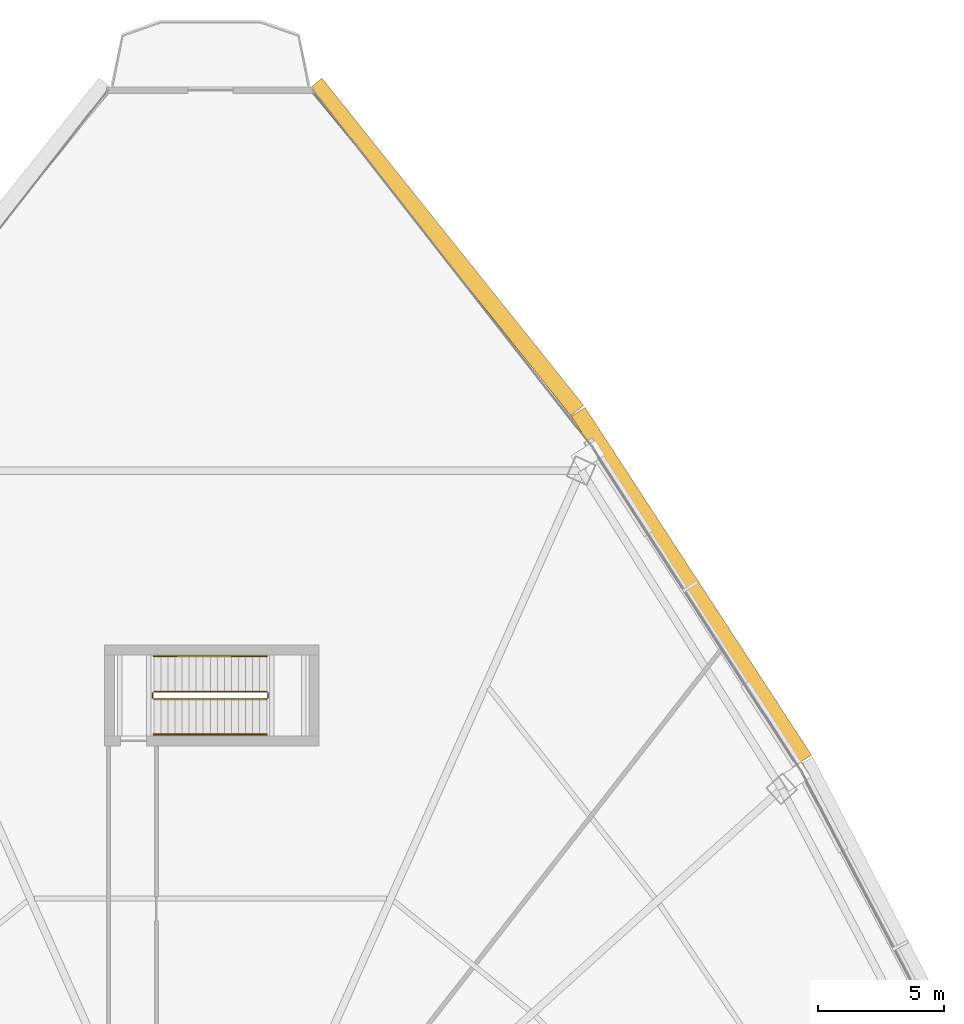
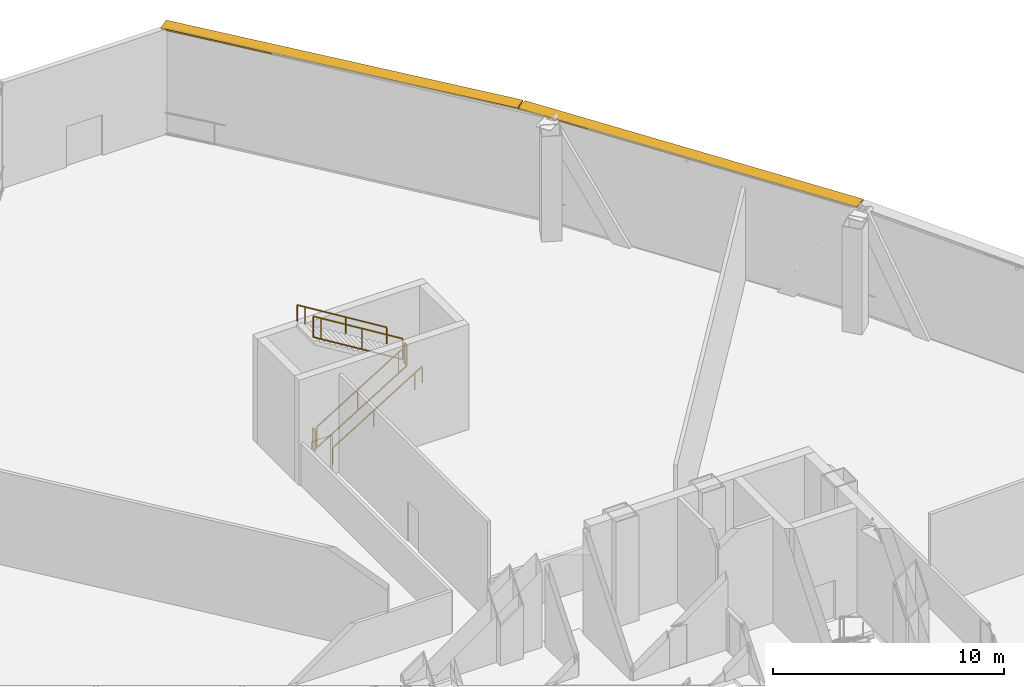
# One storey, part 37 of 38: 6 railings, 2 shading devices.
"""IFC4 building model written with IfcOpenShell, lengths in metres."""

from ifc_helpers import new_model, si_unit, direction, frame, origin, origin_2d, place, context, subcontext, project, spatial, rectangle, extrude, source, transform, mapped, material, layer, layer_set, type_object, element, save


model = new_model("IFC4")

# Units and contexts
model_context = context("Model", 3, precision=1e-05, world=origin(), true_north=direction((0.0, 1.0)))
body_context = subcontext(model_context, "Body", "Model", "MODEL_VIEW")
ifc_project = project(units=[si_unit("LENGTHUNIT", "METRE"), si_unit("AREAUNIT", "SQUARE_METRE"), si_unit("VOLUMEUNIT", "CUBIC_METRE"), si_unit("PLANEANGLEUNIT", "RADIAN"), si_unit("MASSUNIT", "GRAM", prefix="KILO"), si_unit("THERMODYNAMICTEMPERATUREUNIT", "KELVIN"), si_unit("POWERUNIT", "WATT")], contexts=[model_context])

# Site, building, storey
site_placement = place(None, origin())
site = spatial("IfcSite", under=ifc_project, at=site_placement, CompositionType="ELEMENT")
building_placement = place(site_placement, origin())
building = spatial("IfcBuilding", under=site, at=building_placement, Name="Yunzhuo Pagoda Commons", CompositionType="ELEMENT")
storey_placement = place(building_placement, frame((0.0, 0.0, 218.9599609375)))
storey = spatial("IfcBuildingStorey", under=building, at=storey_placement, Name="L55", CompositionType="ELEMENT", Elevation=218.9599609375)

# Railings
ifc_material = material(Name="Anodized aluminium 6063-T6", Category="aluminium")
railing_type_1 = type_object("IfcRailingType", Name="GR-ST3 North Well Guardrail 1155", PredefinedType="GUARDRAIL", material=ifc_material)
railing_1_placement = place(storey_placement, frame((45.75, 57.64990234375, 0.172119140625)))
element("IfcRailing", 1, at=railing_1_placement, inside=storey, type_object=railing_type_1, Name="L55 ST3 stair guard 1", PredefinedType="GUARDRAIL", context=body_context, shape_type="SweptSolid", body=[
    extrude(rectangle(XDim=0.048095703125, YDim=0.048095703125, at=origin_2d()), frame((0.0, 0.0, 1.1259765625), z_axis=(0.851996104429, 0.0, 0.523548123899), x_axis=(0.0, 1.0, 0.0)), (0.0, 0.0, 1.0), 5.25830078125),
    extrude(rectangle(XDim=0.048095703125, YDim=0.048095703125, at=origin_2d()), frame((0.0, 0.0, 0.02392578125), z_axis=(0.851996104429, 0.0, 0.523548123899), x_axis=(0.0, 1.0, 0.0)), (0.0, 0.0, 1.0), 5.25830078125),
    extrude(rectangle(XDim=0.0419921875, YDim=0.0419921875, at=origin_2d()), origin(), (0.0, 0.0, 1.0), 1.101806640625),
    extrude(rectangle(XDim=0.0419921875, YDim=0.0419921875, at=origin_2d()), frame((2.044677734375, 0.0, 1.256591796875)), (0.0, 0.0, 1.0), 1.101806640625),
    extrude(rectangle(XDim=0.0419921875, YDim=0.0419921875, at=origin_2d()), frame((4.089599609375, 0.0, 2.512939453125)), (0.0, 0.0, 1.0), 1.101806640625),
    extrude(rectangle(XDim=0.0419921875, YDim=0.0419921875, at=origin_2d()), frame((4.47998046875, 0.0, 2.7529296875)), (0.0, 0.0, 1.0), 1.101806640625),
])
railing_2_placement = place(storey_placement, frame((50.280029296875, 57.699951171875, 2.925048828125)))
element("IfcRailing", 2, at=railing_2_placement, inside=storey, type_object=railing_type_1, Name="L55 ST3 stair guard 2", PredefinedType="GUARDRAIL", context=body_context, shape_type="SweptSolid", body=[
    extrude(rectangle(XDim=0.048095703125, YDim=0.048095703125, at=origin_2d()), frame((0.0, 0.0, 1.1259765625), z_axis=(0.0, 1.0, 0.0), x_axis=(-1.0, 0.0, 0.0)), (0.0, 0.0, 1.0), 0.199951171875),
    extrude(rectangle(XDim=0.048095703125, YDim=0.048095703125, at=origin_2d()), frame((0.0, 0.0, 0.02392578125), z_axis=(0.0, 1.0, 0.0), x_axis=(-1.0, 0.0, 0.0)), (0.0, 0.0, 1.0), 0.199951171875),
    extrude(rectangle(XDim=0.0419921875, YDim=0.0419921875, at=origin_2d()), origin(), (0.0, 0.0, 1.0), 1.101806640625),
    extrude(rectangle(XDim=0.0419921875, YDim=0.0419921875, at=origin_2d()), frame((0.0, 0.199951171875, 0.0)), (0.0, 0.0, 1.0), 1.101806640625),
])
railing_3_placement = place(storey_placement, frame((50.22998046875, 57.949951171875, 3.09716796875)))
element("IfcRailing", 3, at=railing_3_placement, inside=storey, type_object=railing_type_1, Name="L55 ST3 stair guard 3", PredefinedType="GUARDRAIL", context=body_context, shape_type="SweptSolid", body=[
    extrude(rectangle(XDim=0.048095703125, YDim=0.048095703125, at=origin_2d()), frame((0.0, 0.0, 1.1259765625), z_axis=(-0.851996104429, 0.0, 0.523548123899), x_axis=(0.0, -1.0, 0.0)), (0.0, 0.0, 1.0), 5.25830078125),
    extrude(rectangle(XDim=0.048095703125, YDim=0.048095703125, at=origin_2d()), frame((0.0, 0.0, 0.02392578125), z_axis=(-0.851996104429, 0.0, 0.523548123899), x_axis=(0.0, -1.0, 0.0)), (0.0, 0.0, 1.0), 5.25830078125),
    extrude(rectangle(XDim=0.0419921875, YDim=0.0419921875, at=origin_2d()), origin(), (0.0, 0.0, 1.0), 1.101806640625),
    extrude(rectangle(XDim=0.0419921875, YDim=0.0419921875, at=origin_2d()), frame((-2.044677734375, 0.0, 1.256591796875)), (0.0, 0.0, 1.0), 1.101806640625),
    extrude(rectangle(XDim=0.0419921875, YDim=0.0419921875, at=origin_2d()), frame((-4.089599609375, 0.0, 2.512939453125)), (0.0, 0.0, 1.0), 1.101806640625),
    extrude(rectangle(XDim=0.0419921875, YDim=0.0419921875, at=origin_2d()), frame((-4.47998046875, 0.0, 2.7529296875)), (0.0, 0.0, 1.0), 1.101806640625),
])
railing_4_placement = place(storey_placement, frame((45.699951171875, 57.699951171875, 0.0)))
element("IfcRailing", 4, at=railing_4_placement, inside=storey, type_object=railing_type_1, Name="L55 ST3 stair guard 4", PredefinedType="GUARDRAIL", context=body_context, shape_type="SweptSolid", body=[
    extrude(rectangle(XDim=0.048095703125, YDim=0.048095703125, at=origin_2d()), frame((0.0, 0.0, 1.1259765625), z_axis=(0.0, 1.0, 0.0), x_axis=(-1.0, 0.0, 0.0)), (0.0, 0.0, 1.0), 0.199951171875),
    extrude(rectangle(XDim=0.048095703125, YDim=0.048095703125, at=origin_2d()), frame((0.0, 0.0, 0.02392578125), z_axis=(0.0, 1.0, 0.0), x_axis=(-1.0, 0.0, 0.0)), (0.0, 0.0, 1.0), 0.199951171875),
    extrude(rectangle(XDim=0.0419921875, YDim=0.0419921875, at=origin_2d()), origin(), (0.0, 0.0, 1.0), 1.101806640625),
    extrude(rectangle(XDim=0.0419921875, YDim=0.0419921875, at=origin_2d()), frame((0.0, 0.199951171875, 0.0)), (0.0, 0.0, 1.0), 1.101806640625),
])
railing_type_2 = type_object("IfcRailingType", Name="HR-ST3 North Stair Handrail 900", PredefinedType="HANDRAIL", material=ifc_material)
railing_5_placement = place(storey_placement, frame((45.75, 56.25, 0.172119140625)))
element("IfcRailing", 5, at=railing_5_placement, inside=storey, type_object=railing_type_2, Name="L55 ST3 stair handrail 1", PredefinedType="HANDRAIL", context=body_context, shape_type="SweptSolid", body=[
    extrude(rectangle(XDim=0.048095703125, YDim=0.048095703125, at=origin_2d()), frame((0.0, 0.0, 0.8759765625), z_axis=(0.851996104429, 0.0, 0.523548123899), x_axis=(0.0, 1.0, 0.0)), (0.0, 0.0, 1.0), 5.25830078125),
    extrude(rectangle(XDim=0.0419921875, YDim=0.0419921875, at=origin_2d()), origin(), (0.0, 0.0, 1.0), 0.851806640625),
    extrude(rectangle(XDim=0.0419921875, YDim=0.0419921875, at=origin_2d()), frame((2.044677734375, 0.0, 1.256591796875)), (0.0, 0.0, 1.0), 0.851806640625),
    extrude(rectangle(XDim=0.0419921875, YDim=0.0419921875, at=origin_2d()), frame((4.089599609375, 0.0, 2.512939453125)), (0.0, 0.0, 1.0), 0.851806640625),
    extrude(rectangle(XDim=0.0419921875, YDim=0.0419921875, at=origin_2d()), frame((4.47998046875, 0.0, 2.7529296875)), (0.0, 0.0, 1.0), 0.851806640625),
])
railing_6_placement = place(storey_placement, frame((50.22998046875, 59.35009765625, 3.09716796875)))
element("IfcRailing", 6, at=railing_6_placement, inside=storey, type_object=railing_type_2, Name="L55 ST3 stair handrail 2", PredefinedType="HANDRAIL", context=body_context, shape_type="SweptSolid", body=[
    extrude(rectangle(XDim=0.048095703125, YDim=0.048095703125, at=origin_2d()), frame((0.0, 0.0, 0.8759765625), z_axis=(-0.851996104429, 0.0, 0.523548123899), x_axis=(0.0, -1.0, 0.0)), (0.0, 0.0, 1.0), 5.25830078125),
    extrude(rectangle(XDim=0.0419921875, YDim=0.0419921875, at=origin_2d()), origin(), (0.0, 0.0, 1.0), 0.851806640625),
    extrude(rectangle(XDim=0.0419921875, YDim=0.0419921875, at=origin_2d()), frame((-2.044677734375, 0.0, 1.256591796875)), (0.0, 0.0, 1.0), 0.851806640625),
    extrude(rectangle(XDim=0.0419921875, YDim=0.0419921875, at=origin_2d()), frame((-4.089599609375, 0.0, 2.512939453125)), (0.0, 0.0, 1.0), 0.851806640625),
    extrude(rectangle(XDim=0.0419921875, YDim=0.0419921875, at=origin_2d()), frame((-4.47998046875, 0.0, 2.7529296875)), (0.0, 0.0, 1.0), 0.851806640625),
])

# Shading devices
ifc_layer = layer(ifc_material, 0.080078125)
ifc_layer_set = layer_set([ifc_layer], Name="Anodized aluminium 6063-T6")
shading_device_type = type_object("IfcShadingDeviceType", Name="SH-SUN1 Pagoda Horizontal Sunshade Eave 650", PredefinedType="USERDEFINED", material=ifc_layer_set)
shared_shape_1 = source(origin(), body_context, "Body", "SweptSolid", [
    extrude(rectangle(XDim=16.61181640625, YDim=0.64990234375, at=origin_2d()), origin(), (0.0, 0.0, 1.0), 0.080078125),
])
shading_device_1_placement = place(storey_placement, frame((57.35498046875, 75.581298828125, 5.489990234375), z_axis=(0.0, 0.0, 1.0), x_axis=(-0.624520471688, 0.781008438138, 0.0)))
element("IfcShadingDevice", 7, at=shading_device_1_placement, inside=storey, type_object=shading_device_type, Name="L55 horizontal pagoda sunshade eave F2.4", ObjectType="SUNSHADE", PredefinedType="USERDEFINED", context=body_context, shape_type="MappedRepresentation", body=[
    mapped(shared_shape_1, transform((0.0, 0.0, 0.0), scale=1.0)),
])
shared_shape_2 = source(origin(), body_context, "Body", "SweptSolid", [
    extrude(rectangle(XDim=16.4541015625, YDim=0.64990234375, at=origin_2d()), origin(), (0.0, 0.0, 1.0), 0.080078125),
])
shading_device_2_placement = place(storey_placement, frame((67.070068359375, 62.14990234375, 5.489990234375), z_axis=(0.0, 0.0, 1.0), x_axis=(-0.545838756973, 0.837890238269, 0.0)))
element("IfcShadingDevice", 8, at=shading_device_2_placement, inside=storey, type_object=shading_device_type, Name="L55 horizontal pagoda sunshade eave F2.3", ObjectType="SUNSHADE", PredefinedType="USERDEFINED", context=body_context, shape_type="MappedRepresentation", body=[
    mapped(shared_shape_2, transform((0.0, 0.0, 0.0), scale=1.0)),
])

save(model, "model.ifc")
